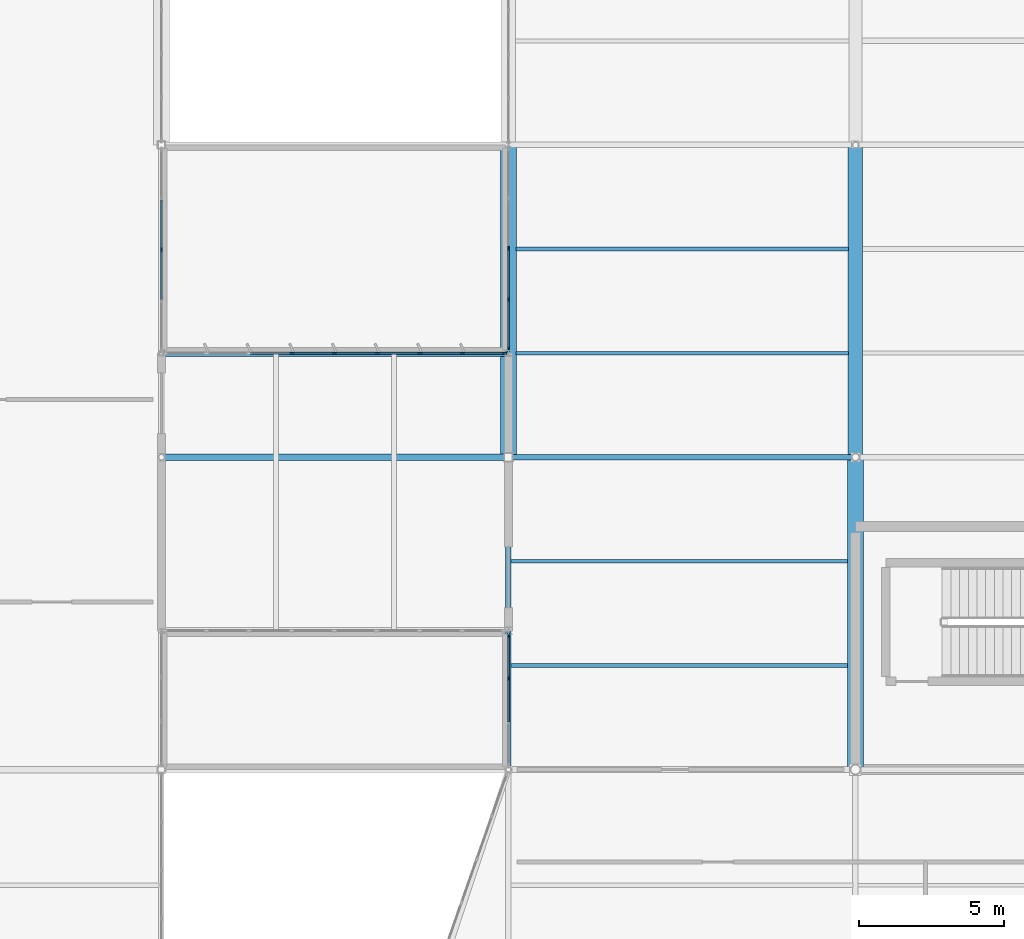
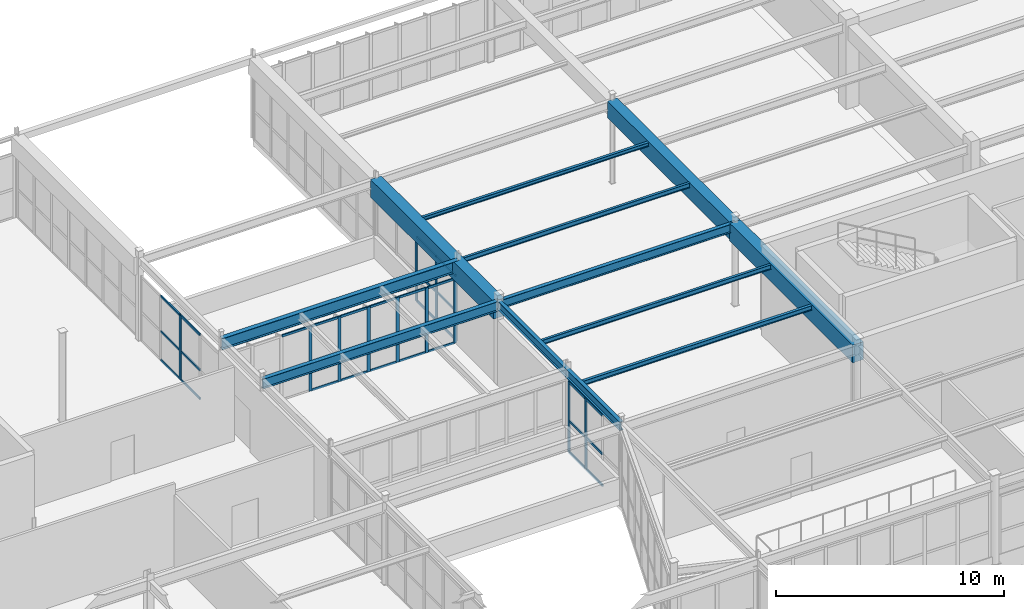
# One storey, part 126 of 226: 46 members, 11 beams, 4 elements without a shape of their own.
"""IFC4 building model written with IfcOpenShell, lengths in metres."""

from ifc_helpers import new_model, si_unit, direction, frame, origin, origin_2d, place, context, subcontext, project, spatial, rectangle, i_section, extrude, material, layer, layer_set, material_profile, profile_set, type_object, element, aggregate, save


model = new_model("IFC4")

# Units and contexts
model_context = context("Model", 3, precision=1e-05, world=origin(), true_north=direction((0.0, 1.0)))
body_context = subcontext(model_context, "Body", "Model", "MODEL_VIEW")
ifc_project = project(units=[si_unit("LENGTHUNIT", "METRE"), si_unit("AREAUNIT", "SQUARE_METRE"), si_unit("VOLUMEUNIT", "CUBIC_METRE"), si_unit("PLANEANGLEUNIT", "RADIAN"), si_unit("MASSUNIT", "GRAM", prefix="KILO")], contexts=[model_context])

# Site, building, storey
site_placement = place(None, origin())
site = spatial("IfcSite", under=ifc_project, at=site_placement, CompositionType="ELEMENT")
building_placement = place(site_placement, origin())
building = spatial("IfcBuilding", under=site, at=building_placement, Name="Tarnwether General Hospital", CompositionType="ELEMENT")
storey_placement = place(building_placement, frame((0.0, 0.0, 4.800048828125)))
storey = spatial("IfcBuildingStorey", under=building, at=storey_placement, Name="L01", CompositionType="ELEMENT", Elevation=4.800048828125)

# Beams
ifc_material_1 = material(Name="Steel Grade 350 (350 MPa)", Category="steel")
ifc_material_profile_1 = material_profile(ifc_material_1, i_section(OverallWidth=0.22900390625, OverallDepth=0.612060546875, WebThickness=0.011962890625, FlangeThickness=0.01953125, at=origin_2d()), Name="610UB125")
ifc_profile_set_1 = profile_set([ifc_material_profile_1], Name="Steel Grade 350 (350 MPa)")
beam_type_1 = type_object("IfcBeamType", Name="BM-G03", PredefinedType="BEAM", material=ifc_profile_set_1)
beam_1_placement = place(storey_placement, frame((132.0, 108.0, 4.138916015625), z_axis=(1.0, 0.0, 0.0), x_axis=(0.0, 1.0, 0.0)))
element("IfcBeam", 1, at=beam_1_placement, inside=storey, type_object=beam_type_1, Name="Court Link Bridge Girder North BMG-L01-13200_10800-14400_10800-1867", PredefinedType="BEAM", context=body_context, shape_type="SweptSolid", body=[
    extrude(i_section(OverallWidth=0.22900390625, OverallDepth=0.612060546875, WebThickness=0.011962890625, FlangeThickness=0.01953125, at=origin_2d()), origin(), (0.0, 0.0, 1.0), 12.0),
])
ifc_material_2 = material(Name="Steel Grade 350 (350 MPa)", Category="steel")
ifc_material_profile_2 = material_profile(ifc_material_2, i_section(OverallWidth=0.208984375, OverallDepth=0.528076171875, WebThickness=0.009521484375, FlangeThickness=0.01318359375, at=origin_2d()), Name="530UB82.0")
ifc_profile_set_2 = profile_set([ifc_material_profile_2], Name="Steel Grade 350 (350 MPa)")
beam_type_2 = type_object("IfcBeamType", Name="BM-G07", PredefinedType="BEAM", material=ifc_profile_set_2)
beam_2_placement = place(storey_placement, frame((132.0, 104.39990234375, 4.180908203125), z_axis=(1.0, 0.0, 0.0), x_axis=(0.0, 1.0, 0.0)))
element("IfcBeam", 2, at=beam_2_placement, inside=storey, type_object=beam_type_2, Name="Primary Girder BMG-L01-13200_10440-14400_10440-1205", PredefinedType="BEAM", context=body_context, shape_type="SweptSolid", body=[
    extrude(i_section(OverallWidth=0.208984375, OverallDepth=0.528076171875, WebThickness=0.009521484375, FlangeThickness=0.01318359375, at=origin_2d()), origin(), (0.0, 0.0, 1.0), 12.0),
])
ifc_material_3 = material(Name="Steel Grade 350 (350 MPa)", Category="steel")
ifc_material_profile_3 = material_profile(ifc_material_3, i_section(OverallWidth=0.19091796875, OverallDepth=0.4599609375, WebThickness=0.010009765625, FlangeThickness=0.01611328125, at=origin_2d()), Name="460UB82.1")
ifc_profile_set_3 = profile_set([ifc_material_profile_3], Name="Steel Grade 350 (350 MPa)")
beam_type_3 = type_object("IfcBeamType", Name="BM-G08", PredefinedType="BEAM", material=ifc_profile_set_3)
beam_3_placement = place(storey_placement, frame((144.0, 104.39990234375, 4.21484375), z_axis=(1.0, 0.0, 0.0), x_axis=(0.0, 1.0, 0.0)))
element("IfcBeam", 3, at=beam_3_placement, inside=storey, type_object=beam_type_3, Name="Primary Girder BMG-L01-14400_10440-15600_10440-1226", PredefinedType="BEAM", context=body_context, shape_type="SweptSolid", body=[
    extrude(i_section(OverallWidth=0.19091796875, OverallDepth=0.4599609375, WebThickness=0.010009765625, FlangeThickness=0.01611328125, at=origin_2d()), origin(), (0.0, 0.0, 1.0), 12.0),
])
ifc_material_4 = material(Name="Steel Grade 350 (350 MPa)", Category="steel")
ifc_material_profile_4 = material_profile(ifc_material_4, i_section(OverallWidth=0.18994140625, OverallDepth=0.4541015625, WebThickness=0.008544921875, FlangeThickness=0.0126953125, at=origin_2d()), Name="460UB67.1")
ifc_profile_set_4 = profile_set([ifc_material_profile_4], Name="Steel Grade 350 (350 MPa)")
beam_type_4 = type_object("IfcBeamType", Name="BM-G10", PredefinedType="BEAM", material=ifc_profile_set_4)
beam_4_placement = place(storey_placement, frame((144.0, 93.60009765625, 4.218017578125), z_axis=(0.0, 1.0, 0.0), x_axis=(-1.0, 0.0, 0.0)))
element("IfcBeam", 4, at=beam_4_placement, inside=storey, type_object=beam_type_4, Name="Primary Girder BMG-L01-14400_9360-14400_10440-1225", PredefinedType="BEAM", context=body_context, shape_type="SweptSolid", body=[
    extrude(i_section(OverallWidth=0.18994140625, OverallDepth=0.4541015625, WebThickness=0.008544921875, FlangeThickness=0.0126953125, at=origin_2d()), origin(), (0.0, 0.0, 1.0), 10.7998046875),
])
ifc_material_5 = material(Name="Concrete 40 MPa", Category="concrete")
ifc_material_profile_5 = material_profile(ifc_material_5, rectangle(XDim=0.550048828125, YDim=0.949951171875, at=origin_2d()), Name="RC-BM-550x950")
ifc_profile_set_5 = profile_set([ifc_material_profile_5], Name="Concrete 40 MPa")
beam_type_5 = type_object("IfcBeamType", Name="BM-G11", PredefinedType="BEAM", material=ifc_profile_set_5)
beam_5_placement = place(storey_placement, frame((144.0, 104.39990234375, 3.969970703125), z_axis=(0.0, 1.0, 0.0), x_axis=(-1.0, 0.0, 0.0)))
element("IfcBeam", 5, at=beam_5_placement, inside=storey, type_object=beam_type_5, Name="Primary Girder BMG-L01-14400_10440-14400_11520-1227", PredefinedType="BEAM", context=body_context, shape_type="SweptSolid", body=[
    extrude(rectangle(XDim=0.550048828125, YDim=0.949951171875, at=origin_2d()), origin(), (0.0, 0.0, 1.0), 10.800048828125),
])
beam_6_placement = place(storey_placement, frame((156.0, 93.60009765625, 3.969970703125), z_axis=(0.0, 1.0, 0.0), x_axis=(-1.0, 0.0, 0.0)))
element("IfcBeam", 6, at=beam_6_placement, inside=storey, type_object=beam_type_5, Name="Primary Girder BMG-L01-15600_9360-15600_10440-1243", PredefinedType="BEAM", context=body_context, shape_type="SweptSolid", body=[
    extrude(rectangle(XDim=0.550048828125, YDim=0.949951171875, at=origin_2d()), origin(), (0.0, 0.0, 1.0), 10.7998046875),
])
ifc_material_6 = material(Name="Concrete 40 MPa", Category="concrete")
ifc_material_profile_6 = material_profile(ifc_material_6, rectangle(XDim=0.5, YDim=0.89990234375, at=origin_2d()), Name="RC-BM-500x900")
ifc_profile_set_6 = profile_set([ifc_material_profile_6], Name="Concrete 40 MPa")
beam_type_6 = type_object("IfcBeamType", Name="BM-G12", PredefinedType="BEAM", material=ifc_profile_set_6)
beam_7_placement = place(storey_placement, frame((156.0, 104.39990234375, 3.994873046875), z_axis=(0.0, 1.0, 0.0), x_axis=(-1.0, 0.0, 0.0)))
element("IfcBeam", 7, at=beam_7_placement, inside=storey, type_object=beam_type_6, Name="Primary Girder BMG-L01-15600_10440-15600_11520-1245", PredefinedType="BEAM", context=body_context, shape_type="SweptSolid", body=[
    extrude(rectangle(XDim=0.5, YDim=0.89990234375, at=origin_2d()), origin(), (0.0, 0.0, 1.0), 10.800048828125),
])
ifc_material_7 = material(Name="Steel Grade 350 (350 MPa)", Category="steel")
ifc_material_profile_7 = material_profile(ifc_material_7, i_section(OverallWidth=0.14599609375, OverallDepth=0.251953125, WebThickness=0.006103515625, FlangeThickness=0.008544921875, at=origin_2d()), Name="250UB31.4")
ifc_profile_set_7 = profile_set([ifc_material_profile_7], Name="Steel Grade 350 (350 MPa)")
beam_type_7 = type_object("IfcBeamType", Name="BM-J10", PredefinedType="JOIST", material=ifc_profile_set_7)
beam_8_placement = place(storey_placement, frame((144.089111328125, 97.199951171875, 4.31884765625), z_axis=(1.0, 0.0, 0.0), x_axis=(0.0, 1.0, 0.0)))
element("IfcBeam", 8, at=beam_8_placement, inside=storey, type_object=beam_type_7, Name="Composite Floor Joist BMG-L01-14409_9720-15573_9720-1395", PredefinedType="JOIST", context=body_context, shape_type="SweptSolid", body=[
    extrude(i_section(OverallWidth=0.14599609375, OverallDepth=0.251953125, WebThickness=0.006103515625, FlangeThickness=0.008544921875, at=origin_2d()), origin(), (0.0, 0.0, 1.0), 11.641845703125),
])
ifc_material_8 = material(Name="Steel Grade 350 (350 MPa)", Category="steel")
ifc_material_profile_8 = material_profile(ifc_material_8, i_section(OverallWidth=0.1240234375, OverallDepth=0.248046875, WebThickness=0.0048828125, FlangeThickness=0.008056640625, at=origin_2d()), Name="250UB25.7")
ifc_profile_set_8 = profile_set([ifc_material_profile_8], Name="Steel Grade 350 (350 MPa)")
beam_type_8 = type_object("IfcBeamType", Name="BM-J11", PredefinedType="JOIST", material=ifc_profile_set_8)
beam_9_placement = place(storey_placement, frame((144.089111328125, 100.800048828125, 4.321044921875), z_axis=(1.0, 0.0, 0.0), x_axis=(0.0, 1.0, 0.0)))
element("IfcBeam", 9, at=beam_9_placement, inside=storey, type_object=beam_type_8, Name="Composite Floor Joist BMG-L01-14409_10080-15573_10080-1396", PredefinedType="JOIST", context=body_context, shape_type="SweptSolid", body=[
    extrude(i_section(OverallWidth=0.1240234375, OverallDepth=0.248046875, WebThickness=0.0048828125, FlangeThickness=0.008056640625, at=origin_2d()), origin(), (0.0, 0.0, 1.0), 11.641845703125),
])
beam_10_placement = place(storey_placement, frame((144.26904296875, 108.0, 4.321044921875), z_axis=(1.0, 0.0, 0.0), x_axis=(0.0, 1.0, 0.0)))
element("IfcBeam", 10, at=beam_10_placement, inside=storey, type_object=beam_type_8, Name="Composite Floor Joist BMG-L01-14427_10800-15576_10800-1397", PredefinedType="JOIST", context=body_context, shape_type="SweptSolid", body=[
    extrude(i_section(OverallWidth=0.1240234375, OverallDepth=0.248046875, WebThickness=0.0048828125, FlangeThickness=0.008056640625, at=origin_2d()), origin(), (0.0, 0.0, 1.0), 11.487060546875),
])
ifc_material_9 = material(Name="Steel Grade 350 (350 MPa)", Category="steel")
ifc_material_profile_9 = material_profile(ifc_material_9, i_section(OverallWidth=0.134033203125, OverallDepth=0.20703125, WebThickness=0.00634765625, FlangeThickness=0.009521484375, at=origin_2d()), Name="200UB29.8")
ifc_profile_set_9 = profile_set([ifc_material_profile_9], Name="Steel Grade 350 (350 MPa)")
beam_type_9 = type_object("IfcBeamType", Name="BM-J12", PredefinedType="JOIST", material=ifc_profile_set_9)
beam_11_placement = place(storey_placement, frame((144.26904296875, 111.60009765625, 4.341552734375), z_axis=(1.0, 0.0, 0.0), x_axis=(0.0, 1.0, 0.0)))
element("IfcBeam", 11, at=beam_11_placement, inside=storey, type_object=beam_type_9, Name="Composite Floor Joist BMG-L01-14427_11160-15576_11160-1398", PredefinedType="JOIST", context=body_context, shape_type="SweptSolid", body=[
    extrude(i_section(OverallWidth=0.134033203125, OverallDepth=0.20703125, WebThickness=0.00634765625, FlangeThickness=0.009521484375, at=origin_2d()), origin(), (0.0, 0.0, 1.0), 11.487060546875),
])

# Curtain wall, members
ifc_material_10 = material(Name="Anodised aluminium", Category="aluminium")
ifc_layer_1 = layer(ifc_material_10, 0.159912109375)
ifc_layer_set_1 = layer_set([ifc_layer_1], Name="Anodised aluminium")
curtain_wall_type_1 = type_object("IfcCurtainWallType", Name="CW-15", PredefinedType="NOTDEFINED", material=ifc_layer_set_1)
curtain_wall_1_placement = place(storey_placement, origin())
curtain_wall_1 = element("IfcCurtainWall", 12, at=curtain_wall_1_placement, inside=storey, type_object=curtain_wall_type_1, Name="Curtain Wall CWG-L01-1440_937-0374", PredefinedType="NOTDEFINED")
ifc_material_11 = material(Name="Anodised aluminium", Category="aluminium")
ifc_material_profile_10 = material_profile(ifc_material_11, rectangle(XDim=0.06005859375, YDim=0.159912109375, at=origin_2d()), Name="ALU-MUL-60x160")
ifc_profile_set_10 = profile_set([ifc_material_profile_10], Name="Anodised aluminium")
member_type_1 = type_object("IfcMemberType", Name="CW-ML1", PredefinedType="MULLION", material=ifc_profile_set_10)
member_1_placement = place(storey_placement, frame((144.0, 96.7451171875, 0.0), z_axis=(0.0, 0.0, 1.0), x_axis=(-1.0, 0.0, 0.0)))
member_1 = element("IfcMember", 13, at=member_1_placement, type_object=member_type_1, Name="CW-15 mullion 3", PredefinedType="MULLION", context=body_context, shape_type="SweptSolid", body=[
    extrude(rectangle(XDim=0.06005859375, YDim=0.159912109375, at=origin_2d()), origin(), (0.0, 0.0, 1.0), 3.81787109375),
])
member_2_placement = place(storey_placement, frame((144.0, 98.235107421875, 0.0), z_axis=(0.0, 0.0, 1.0), x_axis=(-1.0, 0.0, 0.0)))
member_2 = element("IfcMember", 14, at=member_2_placement, type_object=member_type_1, Name="CW-15 mullion 4", PredefinedType="MULLION", context=body_context, shape_type="SweptSolid", body=[
    extrude(rectangle(XDim=0.06005859375, YDim=0.159912109375, at=origin_2d()), origin(), (0.0, 0.0, 1.0), 3.81787109375),
])

# Curtain wall, member
curtain_wall_2_placement = place(storey_placement, origin())
curtain_wall_2 = element("IfcCurtainWall", 15, at=curtain_wall_2_placement, inside=storey, type_object=curtain_wall_type_1, Name="Curtain Wall CWG-L01-1320_1151-0376", PredefinedType="NOTDEFINED")
member_3_placement = place(storey_placement, frame((132.0, 111.574951171875, 0.0), z_axis=(0.0, 0.0, 1.0), x_axis=(1.0, 0.0, 0.0)))
member_3 = element("IfcMember", 16, at=member_3_placement, type_object=member_type_1, Name="CW-15 mullion 3", PredefinedType="MULLION", context=body_context, shape_type="SweptSolid", body=[
    extrude(rectangle(XDim=0.06005859375, YDim=0.159912109375, at=origin_2d()), origin(), (0.0, 0.0, 1.0), 3.47998046875),
])

# Curtain wall, members
curtain_wall_3_placement = place(storey_placement, origin())
curtain_wall_3 = element("IfcCurtainWall", 17, at=curtain_wall_3_placement, inside=storey, type_object=curtain_wall_type_1, Name="Curtain Wall CWG-L01-1440_1081-0377", PredefinedType="NOTDEFINED")
member_4_placement = place(storey_placement, frame((144.0, 108.14306640625, 0.0), z_axis=(0.0, 0.0, 1.0), x_axis=(-1.0, 0.0, 0.0)))
member_4 = element("IfcMember", 18, at=member_4_placement, type_object=member_type_1, Name="CW-15 mullion 1", PredefinedType="MULLION", context=body_context, shape_type="SweptSolid", body=[
    extrude(rectangle(XDim=0.06005859375, YDim=0.159912109375, at=origin_2d()), origin(), (0.0, 0.0, 1.0), 3.47998046875),
])
member_5_placement = place(storey_placement, frame((144.0, 109.863037109375, 0.0), z_axis=(0.0, 0.0, 1.0), x_axis=(-1.0, 0.0, 0.0)))
member_5 = element("IfcMember", 19, at=member_5_placement, type_object=member_type_1, Name="CW-15 mullion 2", PredefinedType="MULLION", context=body_context, shape_type="SweptSolid", body=[
    extrude(rectangle(XDim=0.06005859375, YDim=0.159912109375, at=origin_2d()), origin(), (0.0, 0.0, 1.0), 3.47998046875),
])
member_6_placement = place(storey_placement, frame((144.0, 111.613037109375, 0.0), z_axis=(0.0, 0.0, 1.0), x_axis=(-1.0, 0.0, 0.0)))
member_6 = element("IfcMember", 20, at=member_6_placement, type_object=member_type_1, Name="CW-15 mullion 3", PredefinedType="MULLION", context=body_context, shape_type="SweptSolid", body=[
    extrude(rectangle(XDim=0.06005859375, YDim=0.159912109375, at=origin_2d()), origin(), (0.0, 0.0, 1.0), 3.47998046875),
])

ifc_material_12 = material(Name="Anodised aluminium", Category="aluminium")
ifc_layer_2 = layer(ifc_material_12, 0.159912109375)
ifc_layer_set_2 = layer_set([ifc_layer_2], Name="Anodised aluminium")
curtain_wall_type_2 = type_object("IfcCurtainWallType", Name="CW-21", PredefinedType="NOTDEFINED", material=ifc_layer_set_2)
curtain_wall_4_placement = place(storey_placement, origin())
curtain_wall_4 = element("IfcCurtainWall", 21, at=curtain_wall_4_placement, inside=storey, type_object=curtain_wall_type_2, Name="Curtain Wall CWG-L01-1321_1080-0401", PredefinedType="NOTDEFINED")
member_7_placement = place(storey_placement, frame((136.51025390625, 108.0, 0.0), z_axis=(0.0, 0.0, 1.0), x_axis=(0.0, 1.0, 0.0)))
member_7 = element("IfcMember", 22, at=member_7_placement, type_object=member_type_1, Name="CW-21 mullion 4", PredefinedType="MULLION", context=body_context, shape_type="SweptSolid", body=[
    extrude(rectangle(XDim=0.06005859375, YDim=0.159912109375, at=origin_2d()), origin(), (0.0, 0.0, 1.0), 3.47998046875),
])
member_8_placement = place(storey_placement, frame((137.986083984375, 108.0, 0.0), z_axis=(0.0, 0.0, 1.0), x_axis=(0.0, 1.0, 0.0)))
member_8 = element("IfcMember", 23, at=member_8_placement, type_object=member_type_1, Name="CW-21 mullion 5", PredefinedType="MULLION", context=body_context, shape_type="SweptSolid", body=[
    extrude(rectangle(XDim=0.06005859375, YDim=0.159912109375, at=origin_2d()), origin(), (0.0, 0.0, 1.0), 3.47998046875),
])
member_9_placement = place(storey_placement, frame((139.461669921875, 108.0, 0.0), z_axis=(0.0, 0.0, 1.0), x_axis=(0.0, 1.0, 0.0)))
member_9 = element("IfcMember", 24, at=member_9_placement, type_object=member_type_1, Name="CW-21 mullion 6", PredefinedType="MULLION", context=body_context, shape_type="SweptSolid", body=[
    extrude(rectangle(XDim=0.06005859375, YDim=0.159912109375, at=origin_2d()), origin(), (0.0, 0.0, 1.0), 3.47998046875),
])
member_10_placement = place(storey_placement, frame((140.9375, 108.0, 0.0), z_axis=(0.0, 0.0, 1.0), x_axis=(0.0, 1.0, 0.0)))
member_10 = element("IfcMember", 25, at=member_10_placement, type_object=member_type_1, Name="CW-21 mullion 7", PredefinedType="MULLION", context=body_context, shape_type="SweptSolid", body=[
    extrude(rectangle(XDim=0.06005859375, YDim=0.159912109375, at=origin_2d()), origin(), (0.0, 0.0, 1.0), 3.47998046875),
])
member_11_placement = place(storey_placement, frame((142.413330078125, 108.0, 0.0), z_axis=(0.0, 0.0, 1.0), x_axis=(0.0, 1.0, 0.0)))
member_11 = element("IfcMember", 26, at=member_11_placement, type_object=member_type_1, Name="CW-21 mullion 8", PredefinedType="MULLION", context=body_context, shape_type="SweptSolid", body=[
    extrude(rectangle(XDim=0.06005859375, YDim=0.159912109375, at=origin_2d()), origin(), (0.0, 0.0, 1.0), 3.47998046875),
])
member_12_placement = place(storey_placement, frame((143.85888671875, 108.0, 0.0), z_axis=(0.0, 0.0, 1.0), x_axis=(0.0, 1.0, 0.0)))
member_12 = element("IfcMember", 27, at=member_12_placement, type_object=member_type_1, Name="CW-21 mullion 9", PredefinedType="MULLION", context=body_context, shape_type="SweptSolid", body=[
    extrude(rectangle(XDim=0.06005859375, YDim=0.159912109375, at=origin_2d()), origin(), (0.0, 0.0, 1.0), 3.47998046875),
])

# Member
ifc_material_13 = material(Name="Anodised aluminium", Category="aluminium")
ifc_material_profile_11 = material_profile(ifc_material_13, rectangle(XDim=0.06005859375, YDim=0.1201171875, at=origin_2d()), Name="ALU-TRN-60x120")
ifc_profile_set_11 = profile_set([ifc_material_profile_11], Name="Anodised aluminium")
member_type_2 = type_object("IfcMemberType", Name="CW-TR1", PredefinedType="USERDEFINED", material=ifc_profile_set_11)
member_13_placement = place(storey_placement, frame((144.0, 95.2548828125, 0.030029296875), z_axis=(0.0, 1.0, 0.0), x_axis=(-1.0, 0.0, 0.0)))
member_13 = element("IfcMember", 28, at=member_13_placement, type_object=member_type_2, Name="CW-15 transom 2.1", ObjectType="TRANSOM", PredefinedType="USERDEFINED", context=body_context, shape_type="SweptSolid", body=[
    extrude(rectangle(XDim=0.06005859375, YDim=0.1201171875, at=origin_2d()), origin(), (0.0, 0.0, 1.0), 1.460205078125),
])

member_14_placement = place(storey_placement, frame((144.0, 95.2548828125, 1.718017578125), z_axis=(0.0, 1.0, 0.0), x_axis=(-1.0, 0.0, 0.0)))
member_14 = element("IfcMember", 29, at=member_14_placement, type_object=member_type_2, Name="CW-15 transom 2.2", ObjectType="TRANSOM", PredefinedType="USERDEFINED", context=body_context, shape_type="SweptSolid", body=[
    extrude(rectangle(XDim=0.06005859375, YDim=0.1201171875, at=origin_2d()), origin(), (0.0, 0.0, 1.0), 1.460205078125),
])

member_15_placement = place(storey_placement, frame((144.0, 95.2548828125, 3.787841796875), z_axis=(0.0, 1.0, 0.0), x_axis=(-1.0, 0.0, 0.0)))
member_15 = element("IfcMember", 30, at=member_15_placement, type_object=member_type_2, Name="CW-15 transom 2.3", ObjectType="TRANSOM", PredefinedType="USERDEFINED", context=body_context, shape_type="SweptSolid", body=[
    extrude(rectangle(XDim=0.06005859375, YDim=0.1201171875, at=origin_2d()), origin(), (0.0, 0.0, 1.0), 1.460205078125),
])

member_16_placement = place(storey_placement, frame((144.0, 96.77490234375, 0.030029296875), z_axis=(0.0, 1.0, 0.0), x_axis=(-1.0, 0.0, 0.0)))
member_16 = element("IfcMember", 31, at=member_16_placement, type_object=member_type_2, Name="CW-15 transom 3.1", ObjectType="TRANSOM", PredefinedType="USERDEFINED", context=body_context, shape_type="SweptSolid", body=[
    extrude(rectangle(XDim=0.06005859375, YDim=0.1201171875, at=origin_2d()), origin(), (0.0, 0.0, 1.0), 1.43017578125),
])

member_17_placement = place(storey_placement, frame((144.0, 96.77490234375, 1.718017578125), z_axis=(0.0, 1.0, 0.0), x_axis=(-1.0, 0.0, 0.0)))
member_17 = element("IfcMember", 32, at=member_17_placement, type_object=member_type_2, Name="CW-15 transom 3.2", ObjectType="TRANSOM", PredefinedType="USERDEFINED", context=body_context, shape_type="SweptSolid", body=[
    extrude(rectangle(XDim=0.06005859375, YDim=0.1201171875, at=origin_2d()), origin(), (0.0, 0.0, 1.0), 1.43017578125),
])

member_18_placement = place(storey_placement, frame((144.0, 96.77490234375, 3.787841796875), z_axis=(0.0, 1.0, 0.0), x_axis=(-1.0, 0.0, 0.0)))
member_18 = element("IfcMember", 33, at=member_18_placement, type_object=member_type_2, Name="CW-15 transom 3.3", ObjectType="TRANSOM", PredefinedType="USERDEFINED", context=body_context, shape_type="SweptSolid", body=[
    extrude(rectangle(XDim=0.06005859375, YDim=0.1201171875, at=origin_2d()), origin(), (0.0, 0.0, 1.0), 1.43017578125),
])

aggregate(curtain_wall_1, [member_1, member_2, member_13, member_14, member_15, member_16, member_17, member_18])

member_19_placement = place(storey_placement, frame((132.0, 113.291015625, 0.030029296875), z_axis=(0.0, -1.0, 0.0), x_axis=(1.0, 0.0, 0.0)))
member_19 = element("IfcMember", 34, at=member_19_placement, type_object=member_type_2, Name="CW-15 transom 2.1", ObjectType="TRANSOM", PredefinedType="USERDEFINED", context=body_context, shape_type="SweptSolid", body=[
    extrude(rectangle(XDim=0.06005859375, YDim=0.1201171875, at=origin_2d()), origin(), (0.0, 0.0, 1.0), 1.68603515625),
])

member_20_placement = place(storey_placement, frame((132.0, 113.291015625, 1.56591796875), z_axis=(0.0, -1.0, 0.0), x_axis=(1.0, 0.0, 0.0)))
member_20 = element("IfcMember", 35, at=member_20_placement, type_object=member_type_2, Name="CW-15 transom 2.2", ObjectType="TRANSOM", PredefinedType="USERDEFINED", context=body_context, shape_type="SweptSolid", body=[
    extrude(rectangle(XDim=0.06005859375, YDim=0.1201171875, at=origin_2d()), origin(), (0.0, 0.0, 1.0), 1.68603515625),
])

member_21_placement = place(storey_placement, frame((132.0, 113.291015625, 3.449951171875), z_axis=(0.0, -1.0, 0.0), x_axis=(1.0, 0.0, 0.0)))
member_21 = element("IfcMember", 36, at=member_21_placement, type_object=member_type_2, Name="CW-15 transom 2.3", ObjectType="TRANSOM", PredefinedType="USERDEFINED", context=body_context, shape_type="SweptSolid", body=[
    extrude(rectangle(XDim=0.06005859375, YDim=0.1201171875, at=origin_2d()), origin(), (0.0, 0.0, 1.0), 1.68603515625),
])

member_22_placement = place(storey_placement, frame((132.0, 111.544921875, 0.030029296875), z_axis=(0.0, -1.0, 0.0), x_axis=(1.0, 0.0, 0.0)))
member_22 = element("IfcMember", 37, at=member_22_placement, type_object=member_type_2, Name="CW-15 transom 3.1", ObjectType="TRANSOM", PredefinedType="USERDEFINED", context=body_context, shape_type="SweptSolid", body=[
    extrude(rectangle(XDim=0.06005859375, YDim=0.1201171875, at=origin_2d()), origin(), (0.0, 0.0, 1.0), 1.68603515625),
])

member_23_placement = place(storey_placement, frame((132.0, 111.544921875, 1.56591796875), z_axis=(0.0, -1.0, 0.0), x_axis=(1.0, 0.0, 0.0)))
member_23 = element("IfcMember", 38, at=member_23_placement, type_object=member_type_2, Name="CW-15 transom 3.2", ObjectType="TRANSOM", PredefinedType="USERDEFINED", context=body_context, shape_type="SweptSolid", body=[
    extrude(rectangle(XDim=0.06005859375, YDim=0.1201171875, at=origin_2d()), origin(), (0.0, 0.0, 1.0), 1.68603515625),
])

member_24_placement = place(storey_placement, frame((132.0, 111.544921875, 3.449951171875), z_axis=(0.0, -1.0, 0.0), x_axis=(1.0, 0.0, 0.0)))
member_24 = element("IfcMember", 39, at=member_24_placement, type_object=member_type_2, Name="CW-15 transom 3.3", ObjectType="TRANSOM", PredefinedType="USERDEFINED", context=body_context, shape_type="SweptSolid", body=[
    extrude(rectangle(XDim=0.06005859375, YDim=0.1201171875, at=origin_2d()), origin(), (0.0, 0.0, 1.0), 1.68603515625),
])

aggregate(curtain_wall_2, [member_3, member_19, member_20, member_21, member_22, member_23, member_24])

member_25_placement = place(storey_placement, frame((144.0, 108.173095703125, 0.030029296875), z_axis=(0.0, 1.0, 0.0), x_axis=(-1.0, 0.0, 0.0)))
member_25 = element("IfcMember", 40, at=member_25_placement, type_object=member_type_2, Name="CW-15 transom 1.1", ObjectType="TRANSOM", PredefinedType="USERDEFINED", context=body_context, shape_type="SweptSolid", body=[
    extrude(rectangle(XDim=0.06005859375, YDim=0.1201171875, at=origin_2d()), origin(), (0.0, 0.0, 1.0), 1.659912109375),
])

member_26_placement = place(storey_placement, frame((144.0, 108.173095703125, 1.56591796875), z_axis=(0.0, 1.0, 0.0), x_axis=(-1.0, 0.0, 0.0)))
member_26 = element("IfcMember", 41, at=member_26_placement, type_object=member_type_2, Name="CW-15 transom 1.2", ObjectType="TRANSOM", PredefinedType="USERDEFINED", context=body_context, shape_type="SweptSolid", body=[
    extrude(rectangle(XDim=0.06005859375, YDim=0.1201171875, at=origin_2d()), origin(), (0.0, 0.0, 1.0), 1.659912109375),
])

member_27_placement = place(storey_placement, frame((144.0, 108.173095703125, 3.449951171875), z_axis=(0.0, 1.0, 0.0), x_axis=(-1.0, 0.0, 0.0)))
member_27 = element("IfcMember", 42, at=member_27_placement, type_object=member_type_2, Name="CW-15 transom 1.3", ObjectType="TRANSOM", PredefinedType="USERDEFINED", context=body_context, shape_type="SweptSolid", body=[
    extrude(rectangle(XDim=0.06005859375, YDim=0.1201171875, at=origin_2d()), origin(), (0.0, 0.0, 1.0), 1.659912109375),
])

member_28_placement = place(storey_placement, frame((144.0, 109.89306640625, 0.030029296875), z_axis=(0.0, 1.0, 0.0), x_axis=(-1.0, 0.0, 0.0)))
member_28 = element("IfcMember", 43, at=member_28_placement, type_object=member_type_2, Name="CW-15 transom 2.1", ObjectType="TRANSOM", PredefinedType="USERDEFINED", context=body_context, shape_type="SweptSolid", body=[
    extrude(rectangle(XDim=0.06005859375, YDim=0.1201171875, at=origin_2d()), origin(), (0.0, 0.0, 1.0), 1.68994140625),
])

member_29_placement = place(storey_placement, frame((144.0, 109.89306640625, 1.56591796875), z_axis=(0.0, 1.0, 0.0), x_axis=(-1.0, 0.0, 0.0)))
member_29 = element("IfcMember", 44, at=member_29_placement, type_object=member_type_2, Name="CW-15 transom 2.2", ObjectType="TRANSOM", PredefinedType="USERDEFINED", context=body_context, shape_type="SweptSolid", body=[
    extrude(rectangle(XDim=0.06005859375, YDim=0.1201171875, at=origin_2d()), origin(), (0.0, 0.0, 1.0), 1.68994140625),
])

member_30_placement = place(storey_placement, frame((144.0, 109.89306640625, 3.449951171875), z_axis=(0.0, 1.0, 0.0), x_axis=(-1.0, 0.0, 0.0)))
member_30 = element("IfcMember", 45, at=member_30_placement, type_object=member_type_2, Name="CW-15 transom 2.3", ObjectType="TRANSOM", PredefinedType="USERDEFINED", context=body_context, shape_type="SweptSolid", body=[
    extrude(rectangle(XDim=0.06005859375, YDim=0.1201171875, at=origin_2d()), origin(), (0.0, 0.0, 1.0), 1.68994140625),
])

aggregate(curtain_wall_3, [member_4, member_5, member_6, member_25, member_26, member_27, member_28, member_29, member_30])

member_31_placement = place(storey_placement, frame((135.064453125, 108.0, 3.449951171875), z_axis=(1.0, 0.0, 0.0), x_axis=(0.0, 1.0, 0.0)))
member_31 = element("IfcMember", 46, at=member_31_placement, type_object=member_type_2, Name="CW-21 transom 3.3", ObjectType="TRANSOM", PredefinedType="USERDEFINED", context=body_context, shape_type="SweptSolid", body=[
    extrude(rectangle(XDim=0.06005859375, YDim=0.1201171875, at=origin_2d()), origin(), (0.0, 0.0, 1.0), 1.415771484375),
])

member_32_placement = place(storey_placement, frame((136.540283203125, 108.0, 0.030029296875), z_axis=(1.0, 0.0, 0.0), x_axis=(0.0, 1.0, 0.0)))
member_32 = element("IfcMember", 47, at=member_32_placement, type_object=member_type_2, Name="CW-21 transom 4.1", ObjectType="TRANSOM", PredefinedType="USERDEFINED", context=body_context, shape_type="SweptSolid", body=[
    extrude(rectangle(XDim=0.06005859375, YDim=0.1201171875, at=origin_2d()), origin(), (0.0, 0.0, 1.0), 1.415771484375),
])

member_33_placement = place(storey_placement, frame((136.540283203125, 108.0, 1.56591796875), z_axis=(1.0, 0.0, 0.0), x_axis=(0.0, 1.0, 0.0)))
member_33 = element("IfcMember", 48, at=member_33_placement, type_object=member_type_2, Name="CW-21 transom 4.2", ObjectType="TRANSOM", PredefinedType="USERDEFINED", context=body_context, shape_type="SweptSolid", body=[
    extrude(rectangle(XDim=0.06005859375, YDim=0.1201171875, at=origin_2d()), origin(), (0.0, 0.0, 1.0), 1.415771484375),
])

member_34_placement = place(storey_placement, frame((136.540283203125, 108.0, 3.449951171875), z_axis=(1.0, 0.0, 0.0), x_axis=(0.0, 1.0, 0.0)))
member_34 = element("IfcMember", 49, at=member_34_placement, type_object=member_type_2, Name="CW-21 transom 4.3", ObjectType="TRANSOM", PredefinedType="USERDEFINED", context=body_context, shape_type="SweptSolid", body=[
    extrude(rectangle(XDim=0.06005859375, YDim=0.1201171875, at=origin_2d()), origin(), (0.0, 0.0, 1.0), 1.415771484375),
])

member_35_placement = place(storey_placement, frame((138.01611328125, 108.0, 0.030029296875), z_axis=(1.0, 0.0, 0.0), x_axis=(0.0, 1.0, 0.0)))
member_35 = element("IfcMember", 50, at=member_35_placement, type_object=member_type_2, Name="CW-21 transom 5.1", ObjectType="TRANSOM", PredefinedType="USERDEFINED", context=body_context, shape_type="SweptSolid", body=[
    extrude(rectangle(XDim=0.06005859375, YDim=0.1201171875, at=origin_2d()), origin(), (0.0, 0.0, 1.0), 1.41552734375),
])

member_36_placement = place(storey_placement, frame((138.01611328125, 108.0, 1.56591796875), z_axis=(1.0, 0.0, 0.0), x_axis=(0.0, 1.0, 0.0)))
member_36 = element("IfcMember", 51, at=member_36_placement, type_object=member_type_2, Name="CW-21 transom 5.2", ObjectType="TRANSOM", PredefinedType="USERDEFINED", context=body_context, shape_type="SweptSolid", body=[
    extrude(rectangle(XDim=0.06005859375, YDim=0.1201171875, at=origin_2d()), origin(), (0.0, 0.0, 1.0), 1.41552734375),
])

member_37_placement = place(storey_placement, frame((138.01611328125, 108.0, 3.449951171875), z_axis=(1.0, 0.0, 0.0), x_axis=(0.0, 1.0, 0.0)))
member_37 = element("IfcMember", 52, at=member_37_placement, type_object=member_type_2, Name="CW-21 transom 5.3", ObjectType="TRANSOM", PredefinedType="USERDEFINED", context=body_context, shape_type="SweptSolid", body=[
    extrude(rectangle(XDim=0.06005859375, YDim=0.1201171875, at=origin_2d()), origin(), (0.0, 0.0, 1.0), 1.41552734375),
])

member_38_placement = place(storey_placement, frame((139.49169921875, 108.0, 0.030029296875), z_axis=(1.0, 0.0, 0.0), x_axis=(0.0, 1.0, 0.0)))
member_38 = element("IfcMember", 53, at=member_38_placement, type_object=member_type_2, Name="CW-21 transom 6.1", ObjectType="TRANSOM", PredefinedType="USERDEFINED", context=body_context, shape_type="SweptSolid", body=[
    extrude(rectangle(XDim=0.06005859375, YDim=0.1201171875, at=origin_2d()), origin(), (0.0, 0.0, 1.0), 1.415771484375),
])

member_39_placement = place(storey_placement, frame((139.49169921875, 108.0, 1.56591796875), z_axis=(1.0, 0.0, 0.0), x_axis=(0.0, 1.0, 0.0)))
member_39 = element("IfcMember", 54, at=member_39_placement, type_object=member_type_2, Name="CW-21 transom 6.2", ObjectType="TRANSOM", PredefinedType="USERDEFINED", context=body_context, shape_type="SweptSolid", body=[
    extrude(rectangle(XDim=0.06005859375, YDim=0.1201171875, at=origin_2d()), origin(), (0.0, 0.0, 1.0), 1.415771484375),
])

member_40_placement = place(storey_placement, frame((139.49169921875, 108.0, 3.449951171875), z_axis=(1.0, 0.0, 0.0), x_axis=(0.0, 1.0, 0.0)))
member_40 = element("IfcMember", 55, at=member_40_placement, type_object=member_type_2, Name="CW-21 transom 6.3", ObjectType="TRANSOM", PredefinedType="USERDEFINED", context=body_context, shape_type="SweptSolid", body=[
    extrude(rectangle(XDim=0.06005859375, YDim=0.1201171875, at=origin_2d()), origin(), (0.0, 0.0, 1.0), 1.415771484375),
])

member_41_placement = place(storey_placement, frame((140.967529296875, 108.0, 0.030029296875), z_axis=(1.0, 0.0, 0.0), x_axis=(0.0, 1.0, 0.0)))
member_41 = element("IfcMember", 56, at=member_41_placement, type_object=member_type_2, Name="CW-21 transom 7.1", ObjectType="TRANSOM", PredefinedType="USERDEFINED", context=body_context, shape_type="SweptSolid", body=[
    extrude(rectangle(XDim=0.06005859375, YDim=0.1201171875, at=origin_2d()), origin(), (0.0, 0.0, 1.0), 1.415771484375),
])

member_42_placement = place(storey_placement, frame((140.967529296875, 108.0, 1.56591796875), z_axis=(1.0, 0.0, 0.0), x_axis=(0.0, 1.0, 0.0)))
member_42 = element("IfcMember", 57, at=member_42_placement, type_object=member_type_2, Name="CW-21 transom 7.2", ObjectType="TRANSOM", PredefinedType="USERDEFINED", context=body_context, shape_type="SweptSolid", body=[
    extrude(rectangle(XDim=0.06005859375, YDim=0.1201171875, at=origin_2d()), origin(), (0.0, 0.0, 1.0), 1.415771484375),
])

member_43_placement = place(storey_placement, frame((140.967529296875, 108.0, 3.449951171875), z_axis=(1.0, 0.0, 0.0), x_axis=(0.0, 1.0, 0.0)))
member_43 = element("IfcMember", 58, at=member_43_placement, type_object=member_type_2, Name="CW-21 transom 7.3", ObjectType="TRANSOM", PredefinedType="USERDEFINED", context=body_context, shape_type="SweptSolid", body=[
    extrude(rectangle(XDim=0.06005859375, YDim=0.1201171875, at=origin_2d()), origin(), (0.0, 0.0, 1.0), 1.415771484375),
])

member_44_placement = place(storey_placement, frame((142.443359375, 108.0, 0.030029296875), z_axis=(1.0, 0.0, 0.0), x_axis=(0.0, 1.0, 0.0)))
member_44 = element("IfcMember", 59, at=member_44_placement, type_object=member_type_2, Name="CW-21 transom 8.1", ObjectType="TRANSOM", PredefinedType="USERDEFINED", context=body_context, shape_type="SweptSolid", body=[
    extrude(rectangle(XDim=0.06005859375, YDim=0.1201171875, at=origin_2d()), origin(), (0.0, 0.0, 1.0), 1.3857421875),
])

member_45_placement = place(storey_placement, frame((142.443359375, 108.0, 1.56591796875), z_axis=(1.0, 0.0, 0.0), x_axis=(0.0, 1.0, 0.0)))
member_45 = element("IfcMember", 60, at=member_45_placement, type_object=member_type_2, Name="CW-21 transom 8.2", ObjectType="TRANSOM", PredefinedType="USERDEFINED", context=body_context, shape_type="SweptSolid", body=[
    extrude(rectangle(XDim=0.06005859375, YDim=0.1201171875, at=origin_2d()), origin(), (0.0, 0.0, 1.0), 1.3857421875),
])

member_46_placement = place(storey_placement, frame((142.443359375, 108.0, 3.449951171875), z_axis=(1.0, 0.0, 0.0), x_axis=(0.0, 1.0, 0.0)))
member_46 = element("IfcMember", 61, at=member_46_placement, type_object=member_type_2, Name="CW-21 transom 8.3", ObjectType="TRANSOM", PredefinedType="USERDEFINED", context=body_context, shape_type="SweptSolid", body=[
    extrude(rectangle(XDim=0.06005859375, YDim=0.1201171875, at=origin_2d()), origin(), (0.0, 0.0, 1.0), 1.3857421875),
])

aggregate(curtain_wall_4, [member_7, member_8, member_9, member_10, member_11, member_12, member_31, member_32, member_33, member_34, member_35, member_36, member_37, member_38, member_39, member_40, member_41, member_42, member_43, member_44, member_45, member_46])

save(model, "model.ifc")
